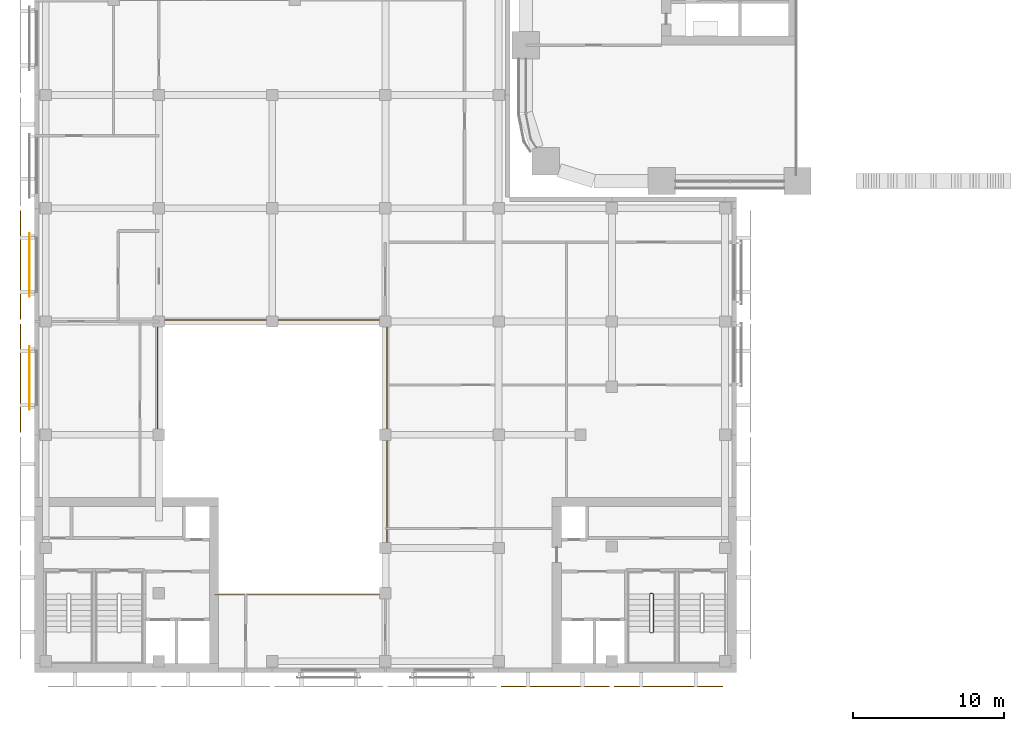
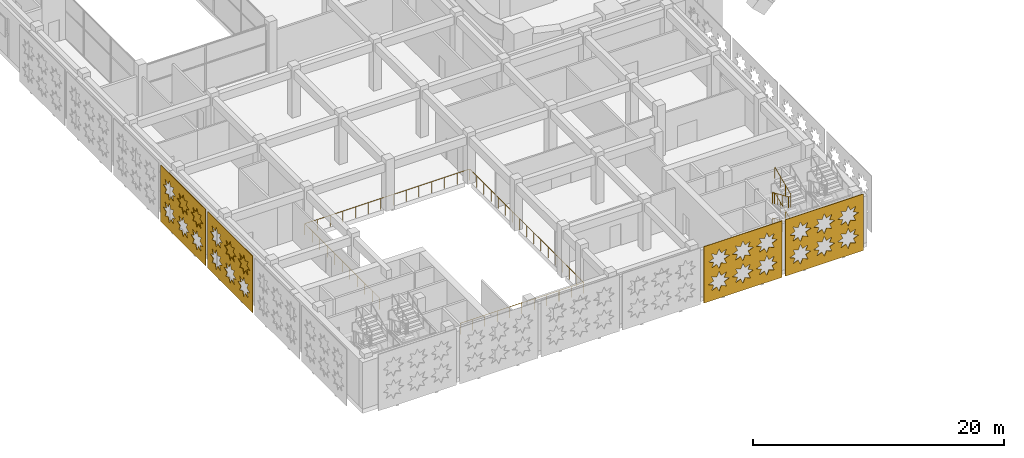
# One storey, part 30 of 40: 6 coverings, 2 railings.
"""IFC4 building model written with IfcOpenShell, lengths in metres."""

from ifc_helpers import new_model, si_unit, direction, frame, origin, origin_2d, place, context, subcontext, project, spatial, polyline, rectangle, circle, outline, extrude, material, layer, layer_set, type_object, element, save


model = new_model("IFC4")

# Units and contexts
model_context = context("Model", 3, precision=1e-05, world=origin(), true_north=direction((0.0, 1.0)))
body_context = subcontext(model_context, "Body", "Model", "MODEL_VIEW")
ifc_project = project(units=[si_unit("LENGTHUNIT", "METRE"), si_unit("AREAUNIT", "SQUARE_METRE"), si_unit("VOLUMEUNIT", "CUBIC_METRE"), si_unit("PLANEANGLEUNIT", "RADIAN"), si_unit("MASSUNIT", "GRAM", prefix="KILO")], contexts=[model_context])

# Site, building, storey
site_placement = place(None, origin())
site = spatial("IfcSite", under=ifc_project, at=site_placement, CompositionType="ELEMENT")
building_placement = place(site_placement, origin())
building = spatial("IfcBuilding", under=site, at=building_placement, Name="Tessera Arch", CompositionType="ELEMENT")
storey_placement = place(building_placement, frame((0.0, 0.0, 21.0)))
storey = spatial("IfcBuildingStorey", under=building, at=storey_placement, Name="L03", CompositionType="ELEMENT", Elevation=21.0)

# Coverings
ifc_material_1 = material(Name="Anodised aluminium pale metal", Category="aluminium")
ifc_layer_1 = layer(ifc_material_1, 0.050048828125)
ifc_layer_set_1 = layer_set([ifc_layer_1], Name="Museum lattice skin panel")
covering_type_1 = type_object("IfcCoveringType", Name="Museum lattice skin panel", PredefinedType="CLADDING", material=ifc_layer_set_1)
covering_1_placement = place(storey_placement, frame((-1.64990234375, -33.449951171875, 5.60009765625), z_axis=(0.0, 1.0, 0.0), x_axis=(1.0, 0.0, 0.0)))
element("IfcCovering", 1, at=covering_1_placement, inside=storey, type_object=covering_type_1, Name="Museum lattice skin L03 1-6", PredefinedType="CLADDING", context=body_context, shape_type="SweptSolid", body=[
    extrude(outline(polyline([(0.0, 0.0), (7.199951171875, 0.0), (7.199951171875, 5.5), (0.0, 5.5), (0.0, 0.0)]), holes=[polyline([(2.367919921875, 3.85009765625), (1.887939453125, 3.648193359375), (2.083984375, 3.166015625), (1.601806640625, 3.362060546875), (1.39990234375, 2.882080078125), (1.197998046875, 3.362060546875), (0.7158203125, 3.166015625), (0.911865234375, 3.648193359375), (0.431884765625, 3.85009765625), (0.911865234375, 4.052001953125), (0.7158203125, 4.5341796875), (1.197998046875, 4.338134765625), (1.39990234375, 4.818115234375), (1.601806640625, 4.338134765625), (2.083984375, 4.5341796875), (1.887939453125, 4.052001953125), (2.367919921875, 3.85009765625)]), polyline([(2.367919921875, 1.650146484375), (1.887939453125, 1.447998046875), (2.083984375, 0.966064453125), (1.601806640625, 1.162109375), (1.39990234375, 0.68212890625), (1.197998046875, 1.162109375), (0.7158203125, 0.966064453125), (0.911865234375, 1.447998046875), (0.431884765625, 1.650146484375), (0.911865234375, 1.85205078125), (0.7158203125, 2.333984375), (1.197998046875, 2.13818359375), (1.39990234375, 2.6181640625), (1.601806640625, 2.13818359375), (2.083984375, 2.333984375), (1.887939453125, 1.85205078125), (2.367919921875, 1.650146484375)]), polyline([(4.56787109375, 3.85009765625), (4.087890625, 3.648193359375), (4.283935546875, 3.166015625), (3.802001953125, 3.362060546875), (3.599853515625, 2.882080078125), (3.39794921875, 3.362060546875), (2.916015625, 3.166015625), (3.11181640625, 3.648193359375), (2.6318359375, 3.85009765625), (3.11181640625, 4.052001953125), (2.916015625, 4.5341796875), (3.39794921875, 4.338134765625), (3.599853515625, 4.818115234375), (3.802001953125, 4.338134765625), (4.283935546875, 4.5341796875), (4.087890625, 4.052001953125), (4.56787109375, 3.85009765625)]), polyline([(4.56787109375, 1.650146484375), (4.087890625, 1.447998046875), (4.283935546875, 0.966064453125), (3.802001953125, 1.162109375), (3.599853515625, 0.68212890625), (3.39794921875, 1.162109375), (2.916015625, 0.966064453125), (3.11181640625, 1.447998046875), (2.6318359375, 1.650146484375), (3.11181640625, 1.85205078125), (2.916015625, 2.333984375), (3.39794921875, 2.13818359375), (3.599853515625, 2.6181640625), (3.802001953125, 2.13818359375), (4.283935546875, 2.333984375), (4.087890625, 1.85205078125), (4.56787109375, 1.650146484375)]), polyline([(6.767822265625, 3.85009765625), (6.287841796875, 3.648193359375), (6.48388671875, 3.166015625), (6.001953125, 3.362060546875), (5.7998046875, 2.882080078125), (5.597900390625, 3.362060546875), (5.115966796875, 3.166015625), (5.31201171875, 3.648193359375), (4.831787109375, 3.85009765625), (5.31201171875, 4.052001953125), (5.115966796875, 4.5341796875), (5.597900390625, 4.338134765625), (5.7998046875, 4.818115234375), (6.001953125, 4.338134765625), (6.48388671875, 4.5341796875), (6.287841796875, 4.052001953125), (6.767822265625, 3.85009765625)]), polyline([(6.767822265625, 1.650146484375), (6.287841796875, 1.447998046875), (6.48388671875, 0.966064453125), (6.001953125, 1.162109375), (5.7998046875, 0.68212890625), (5.597900390625, 1.162109375), (5.115966796875, 0.966064453125), (5.31201171875, 1.447998046875), (4.831787109375, 1.650146484375), (5.31201171875, 1.85205078125), (5.115966796875, 2.333984375), (5.597900390625, 2.13818359375), (5.7998046875, 2.6181640625), (6.001953125, 2.13818359375), (6.48388671875, 2.333984375), (6.287841796875, 1.85205078125), (6.767822265625, 1.650146484375)])]), origin(), (0.0, 0.0, -1.0), 0.050048828125),
])
covering_2_placement = place(storey_placement, frame((5.85009765625, -33.449951171875, 5.60009765625), z_axis=(0.0, 1.0, 0.0), x_axis=(1.0, 0.0, 0.0)))
element("IfcCovering", 2, at=covering_2_placement, inside=storey, type_object=covering_type_1, Name="Museum lattice skin L03 1-7", PredefinedType="CLADDING", context=body_context, shape_type="SweptSolid", body=[
    extrude(outline(polyline([(0.0, 0.0), (7.199951171875, 0.0), (7.199951171875, 5.5), (0.0, 5.5), (0.0, 0.0)]), holes=[polyline([(2.367919921875, 3.85009765625), (1.887939453125, 3.648193359375), (2.083984375, 3.166015625), (1.601806640625, 3.362060546875), (1.39990234375, 2.882080078125), (1.197998046875, 3.362060546875), (0.7158203125, 3.166015625), (0.911865234375, 3.648193359375), (0.431884765625, 3.85009765625), (0.911865234375, 4.052001953125), (0.7158203125, 4.5341796875), (1.197998046875, 4.338134765625), (1.39990234375, 4.818115234375), (1.601806640625, 4.338134765625), (2.083984375, 4.5341796875), (1.887939453125, 4.052001953125), (2.367919921875, 3.85009765625)]), polyline([(2.367919921875, 1.650146484375), (1.887939453125, 1.447998046875), (2.083984375, 0.966064453125), (1.601806640625, 1.162109375), (1.39990234375, 0.68212890625), (1.197998046875, 1.162109375), (0.7158203125, 0.966064453125), (0.911865234375, 1.447998046875), (0.431884765625, 1.650146484375), (0.911865234375, 1.85205078125), (0.7158203125, 2.333984375), (1.197998046875, 2.13818359375), (1.39990234375, 2.6181640625), (1.601806640625, 2.13818359375), (2.083984375, 2.333984375), (1.887939453125, 1.85205078125), (2.367919921875, 1.650146484375)]), polyline([(4.56787109375, 3.85009765625), (4.087890625, 3.648193359375), (4.283935546875, 3.166015625), (3.802001953125, 3.362060546875), (3.599853515625, 2.882080078125), (3.39794921875, 3.362060546875), (2.916015625, 3.166015625), (3.11181640625, 3.648193359375), (2.6318359375, 3.85009765625), (3.11181640625, 4.052001953125), (2.916015625, 4.5341796875), (3.39794921875, 4.338134765625), (3.599853515625, 4.818115234375), (3.802001953125, 4.338134765625), (4.283935546875, 4.5341796875), (4.087890625, 4.052001953125), (4.56787109375, 3.85009765625)]), polyline([(4.56787109375, 1.650146484375), (4.087890625, 1.447998046875), (4.283935546875, 0.966064453125), (3.802001953125, 1.162109375), (3.599853515625, 0.68212890625), (3.39794921875, 1.162109375), (2.916015625, 0.966064453125), (3.11181640625, 1.447998046875), (2.6318359375, 1.650146484375), (3.11181640625, 1.85205078125), (2.916015625, 2.333984375), (3.39794921875, 2.13818359375), (3.599853515625, 2.6181640625), (3.802001953125, 2.13818359375), (4.283935546875, 2.333984375), (4.087890625, 1.85205078125), (4.56787109375, 1.650146484375)]), polyline([(6.767822265625, 3.85009765625), (6.287841796875, 3.648193359375), (6.48388671875, 3.166015625), (6.001953125, 3.362060546875), (5.7998046875, 2.882080078125), (5.597900390625, 3.362060546875), (5.115966796875, 3.166015625), (5.31201171875, 3.648193359375), (4.831787109375, 3.85009765625), (5.31201171875, 4.052001953125), (5.115966796875, 4.5341796875), (5.597900390625, 4.338134765625), (5.7998046875, 4.818115234375), (6.001953125, 4.338134765625), (6.48388671875, 4.5341796875), (6.287841796875, 4.052001953125), (6.767822265625, 3.85009765625)]), polyline([(6.767822265625, 1.650146484375), (6.287841796875, 1.447998046875), (6.48388671875, 0.966064453125), (6.001953125, 1.162109375), (5.7998046875, 0.68212890625), (5.597900390625, 1.162109375), (5.115966796875, 0.966064453125), (5.31201171875, 1.447998046875), (4.831787109375, 1.650146484375), (5.31201171875, 1.85205078125), (5.115966796875, 2.333984375), (5.597900390625, 2.13818359375), (5.7998046875, 2.6181640625), (6.001953125, 2.13818359375), (6.48388671875, 2.333984375), (6.287841796875, 1.85205078125), (6.767822265625, 1.650146484375)])]), origin(), (0.0, 0.0, -1.0), 0.050048828125),
])
covering_3_placement = place(storey_placement, frame((-33.449951171875, -1.949951171875, 5.60009765625), z_axis=(1.0, 0.0, 0.0), x_axis=(0.0, -1.0, 0.0)))
element("IfcCovering", 3, at=covering_3_placement, inside=storey, type_object=covering_type_1, Name="Museum lattice skin L03 6-10", PredefinedType="CLADDING", context=body_context, shape_type="SweptSolid", body=[
    extrude(outline(polyline([(0.0, 0.0), (7.199951171875, 0.0), (7.199951171875, 5.5), (0.0, 5.5), (0.0, 0.0)]), holes=[polyline([(2.3681640625, 3.85009765625), (1.887939453125, 3.648193359375), (2.083984375, 3.166015625), (1.60205078125, 3.362060546875), (1.400146484375, 2.882080078125), (1.197998046875, 3.362060546875), (0.716064453125, 3.166015625), (0.912109375, 3.648193359375), (0.43212890625, 3.85009765625), (0.912109375, 4.052001953125), (0.716064453125, 4.5341796875), (1.197998046875, 4.338134765625), (1.400146484375, 4.818115234375), (1.60205078125, 4.338134765625), (2.083984375, 4.5341796875), (1.887939453125, 4.052001953125), (2.3681640625, 3.85009765625)]), polyline([(2.3681640625, 1.650146484375), (1.887939453125, 1.447998046875), (2.083984375, 0.966064453125), (1.60205078125, 1.162109375), (1.400146484375, 0.68212890625), (1.197998046875, 1.162109375), (0.716064453125, 0.966064453125), (0.912109375, 1.447998046875), (0.43212890625, 1.650146484375), (0.912109375, 1.85205078125), (0.716064453125, 2.333984375), (1.197998046875, 2.13818359375), (1.400146484375, 2.6181640625), (1.60205078125, 2.13818359375), (2.083984375, 2.333984375), (1.887939453125, 1.85205078125), (2.3681640625, 1.650146484375)]), polyline([(4.568115234375, 3.85009765625), (4.088134765625, 3.648193359375), (4.283935546875, 3.166015625), (3.802001953125, 3.362060546875), (3.60009765625, 2.882080078125), (3.39794921875, 3.362060546875), (2.916015625, 3.166015625), (3.112060546875, 3.648193359375), (2.632080078125, 3.85009765625), (3.112060546875, 4.052001953125), (2.916015625, 4.5341796875), (3.39794921875, 4.338134765625), (3.60009765625, 4.818115234375), (3.802001953125, 4.338134765625), (4.283935546875, 4.5341796875), (4.088134765625, 4.052001953125), (4.568115234375, 3.85009765625)]), polyline([(4.568115234375, 1.650146484375), (4.088134765625, 1.447998046875), (4.283935546875, 0.966064453125), (3.802001953125, 1.162109375), (3.60009765625, 0.68212890625), (3.39794921875, 1.162109375), (2.916015625, 0.966064453125), (3.112060546875, 1.447998046875), (2.632080078125, 1.650146484375), (3.112060546875, 1.85205078125), (2.916015625, 2.333984375), (3.39794921875, 2.13818359375), (3.60009765625, 2.6181640625), (3.802001953125, 2.13818359375), (4.283935546875, 2.333984375), (4.088134765625, 1.85205078125), (4.568115234375, 1.650146484375)]), polyline([(6.76806640625, 3.85009765625), (6.2880859375, 3.648193359375), (6.484130859375, 3.166015625), (6.001953125, 3.362060546875), (5.800048828125, 2.882080078125), (5.59814453125, 3.362060546875), (5.115966796875, 3.166015625), (5.31201171875, 3.648193359375), (4.83203125, 3.85009765625), (5.31201171875, 4.052001953125), (5.115966796875, 4.5341796875), (5.59814453125, 4.338134765625), (5.800048828125, 4.818115234375), (6.001953125, 4.338134765625), (6.484130859375, 4.5341796875), (6.2880859375, 4.052001953125), (6.76806640625, 3.85009765625)]), polyline([(6.76806640625, 1.650146484375), (6.2880859375, 1.447998046875), (6.484130859375, 0.966064453125), (6.001953125, 1.162109375), (5.800048828125, 0.68212890625), (5.59814453125, 1.162109375), (5.115966796875, 0.966064453125), (5.31201171875, 1.447998046875), (4.83203125, 1.650146484375), (5.31201171875, 1.85205078125), (5.115966796875, 2.333984375), (5.59814453125, 2.13818359375), (5.800048828125, 2.6181640625), (6.001953125, 2.13818359375), (6.484130859375, 2.333984375), (6.2880859375, 1.85205078125), (6.76806640625, 1.650146484375)])]), origin(), (0.0, 0.0, -1.0), 0.050048828125),
])
covering_4_placement = place(storey_placement, frame((-33.449951171875, -9.449951171875, 5.60009765625), z_axis=(1.0, 0.0, 0.0), x_axis=(0.0, -1.0, 0.0)))
element("IfcCovering", 4, at=covering_4_placement, inside=storey, type_object=covering_type_1, Name="Museum lattice skin L03 6-11", PredefinedType="CLADDING", context=body_context, shape_type="SweptSolid", body=[
    extrude(outline(polyline([(0.0, 0.0), (7.199951171875, 0.0), (7.199951171875, 5.5), (0.0, 5.5), (0.0, 0.0)]), holes=[polyline([(2.3681640625, 3.85009765625), (1.887939453125, 3.648193359375), (2.083984375, 3.166015625), (1.60205078125, 3.362060546875), (1.400146484375, 2.882080078125), (1.197998046875, 3.362060546875), (0.716064453125, 3.166015625), (0.912109375, 3.648193359375), (0.43212890625, 3.85009765625), (0.912109375, 4.052001953125), (0.716064453125, 4.5341796875), (1.197998046875, 4.338134765625), (1.400146484375, 4.818115234375), (1.60205078125, 4.338134765625), (2.083984375, 4.5341796875), (1.887939453125, 4.052001953125), (2.3681640625, 3.85009765625)]), polyline([(2.3681640625, 1.650146484375), (1.887939453125, 1.447998046875), (2.083984375, 0.966064453125), (1.60205078125, 1.162109375), (1.400146484375, 0.68212890625), (1.197998046875, 1.162109375), (0.716064453125, 0.966064453125), (0.912109375, 1.447998046875), (0.43212890625, 1.650146484375), (0.912109375, 1.85205078125), (0.716064453125, 2.333984375), (1.197998046875, 2.13818359375), (1.400146484375, 2.6181640625), (1.60205078125, 2.13818359375), (2.083984375, 2.333984375), (1.887939453125, 1.85205078125), (2.3681640625, 1.650146484375)]), polyline([(4.568115234375, 3.85009765625), (4.088134765625, 3.648193359375), (4.283935546875, 3.166015625), (3.802001953125, 3.362060546875), (3.60009765625, 2.882080078125), (3.39794921875, 3.362060546875), (2.916015625, 3.166015625), (3.112060546875, 3.648193359375), (2.632080078125, 3.85009765625), (3.112060546875, 4.052001953125), (2.916015625, 4.5341796875), (3.39794921875, 4.338134765625), (3.60009765625, 4.818115234375), (3.802001953125, 4.338134765625), (4.283935546875, 4.5341796875), (4.088134765625, 4.052001953125), (4.568115234375, 3.85009765625)]), polyline([(4.568115234375, 1.650146484375), (4.088134765625, 1.447998046875), (4.283935546875, 0.966064453125), (3.802001953125, 1.162109375), (3.60009765625, 0.68212890625), (3.39794921875, 1.162109375), (2.916015625, 0.966064453125), (3.112060546875, 1.447998046875), (2.632080078125, 1.650146484375), (3.112060546875, 1.85205078125), (2.916015625, 2.333984375), (3.39794921875, 2.13818359375), (3.60009765625, 2.6181640625), (3.802001953125, 2.13818359375), (4.283935546875, 2.333984375), (4.088134765625, 1.85205078125), (4.568115234375, 1.650146484375)]), polyline([(6.76806640625, 3.85009765625), (6.2880859375, 3.648193359375), (6.484130859375, 3.166015625), (6.001953125, 3.362060546875), (5.800048828125, 2.882080078125), (5.59814453125, 3.362060546875), (5.115966796875, 3.166015625), (5.31201171875, 3.648193359375), (4.83203125, 3.85009765625), (5.31201171875, 4.052001953125), (5.115966796875, 4.5341796875), (5.59814453125, 4.338134765625), (5.800048828125, 4.818115234375), (6.001953125, 4.338134765625), (6.484130859375, 4.5341796875), (6.2880859375, 4.052001953125), (6.76806640625, 3.85009765625)]), polyline([(6.76806640625, 1.650146484375), (6.2880859375, 1.447998046875), (6.484130859375, 0.966064453125), (6.001953125, 1.162109375), (5.800048828125, 0.68212890625), (5.59814453125, 1.162109375), (5.115966796875, 0.966064453125), (5.31201171875, 1.447998046875), (4.83203125, 1.650146484375), (5.31201171875, 1.85205078125), (5.115966796875, 2.333984375), (5.59814453125, 2.13818359375), (5.800048828125, 2.6181640625), (6.001953125, 2.13818359375), (6.484130859375, 2.333984375), (6.2880859375, 1.85205078125), (6.76806640625, 1.650146484375)])]), origin(), (0.0, 0.0, -1.0), 0.050048828125),
])

# Railing
ifc_material_2 = material(Name="Stainless steel and clear glass", Category="steel")
railing_type_1 = type_object("IfcRailingType", Name="Museum roof guard 1100", PredefinedType="GUARDRAIL", material=ifc_material_2)
railing_1_placement = place(storey_placement, frame((-24.39990234375, -21.199951171875, 0.0)))
element("IfcRailing", 5, at=railing_1_placement, inside=storey, type_object=railing_type_1, Name="Atrium guard L03", PredefinedType="GUARDRAIL", context=body_context, shape_type="SweptSolid", body=[
    extrude(circle(Radius=0.02490234375, at=origin_2d()), frame((0.0, -0.00390625, 1.0751953125), z_axis=(0.0, 1.0, 0.0), x_axis=(-1.0, 0.0, 0.0)), (0.0, 0.0, 1.0), 12.008056640625),
    extrude(circle(Radius=0.02490234375, at=origin_2d()), frame((-0.00390625, 12.0, 1.0751953125), z_axis=(1.0, 0.0, 0.0), x_axis=(0.0, 1.0, 0.0)), (0.0, 0.0, 1.0), 15.2080078125),
    extrude(circle(Radius=0.02490234375, at=origin_2d()), frame((15.199951171875, 12.00390625, 1.0751953125), z_axis=(0.0, -1.0, 0.0), x_axis=(1.0, 0.0, 0.0)), (0.0, 0.0, 1.0), 18.2080078125),
    extrude(circle(Radius=0.02490234375, at=origin_2d()), frame((15.203857421875, -6.199951171875, 1.0751953125), z_axis=(-1.0, 0.0, 0.0), x_axis=(0.0, -1.0, 0.0)), (0.0, 0.0, 1.0), 11.408203125),
    extrude(circle(Radius=0.02001953125, at=origin_2d()), origin(), (0.0, 0.0, 1.0), 1.06201171875),
    extrude(circle(Radius=0.02001953125, at=origin_2d()), frame((0.0, 1.199951171875, 0.0)), (0.0, 0.0, 1.0), 1.06201171875),
    extrude(circle(Radius=0.02001953125, at=origin_2d()), frame((0.0, 2.39990234375, 0.0)), (0.0, 0.0, 1.0), 1.06201171875),
    extrude(circle(Radius=0.02001953125, at=origin_2d()), frame((0.0, 3.60009765625, 0.0)), (0.0, 0.0, 1.0), 1.06201171875),
    extrude(circle(Radius=0.02001953125, at=origin_2d()), frame((0.0, 4.800048828125, 0.0)), (0.0, 0.0, 1.0), 1.06201171875),
    extrude(circle(Radius=0.02001953125, at=origin_2d()), frame((0.0, 6.0, 0.0)), (0.0, 0.0, 1.0), 1.06201171875),
    extrude(circle(Radius=0.02001953125, at=origin_2d()), frame((0.0, 7.199951171875, 0.0)), (0.0, 0.0, 1.0), 1.06201171875),
    extrude(circle(Radius=0.02001953125, at=origin_2d()), frame((0.0, 8.39990234375, 0.0)), (0.0, 0.0, 1.0), 1.06201171875),
    extrude(circle(Radius=0.02001953125, at=origin_2d()), frame((0.0, 9.60009765625, 0.0)), (0.0, 0.0, 1.0), 1.06201171875),
    extrude(circle(Radius=0.02001953125, at=origin_2d()), frame((0.0, 10.800048828125, 0.0)), (0.0, 0.0, 1.0), 1.06201171875),
    extrude(circle(Radius=0.02001953125, at=origin_2d()), frame((0.0, 12.0, 0.0)), (0.0, 0.0, 1.0), 1.06201171875),
    extrude(circle(Radius=0.02001953125, at=origin_2d()), frame((1.169189453125, 12.0, 0.0)), (0.0, 0.0, 1.0), 1.06201171875),
    extrude(circle(Radius=0.02001953125, at=origin_2d()), frame((2.33837890625, 12.0, 0.0)), (0.0, 0.0, 1.0), 1.06201171875),
    extrude(circle(Radius=0.02001953125, at=origin_2d()), frame((3.507568359375, 12.0, 0.0)), (0.0, 0.0, 1.0), 1.06201171875),
    extrude(circle(Radius=0.02001953125, at=origin_2d()), frame((4.677001953125, 12.0, 0.0)), (0.0, 0.0, 1.0), 1.06201171875),
    extrude(circle(Radius=0.02001953125, at=origin_2d()), frame((5.84619140625, 12.0, 0.0)), (0.0, 0.0, 1.0), 1.06201171875),
    extrude(circle(Radius=0.02001953125, at=origin_2d()), frame((7.015380859375, 12.0, 0.0)), (0.0, 0.0, 1.0), 1.06201171875),
    extrude(circle(Radius=0.02001953125, at=origin_2d()), frame((8.1845703125, 12.0, 0.0)), (0.0, 0.0, 1.0), 1.06201171875),
    extrude(circle(Radius=0.02001953125, at=origin_2d()), frame((9.353759765625, 12.0, 0.0)), (0.0, 0.0, 1.0), 1.06201171875),
    extrude(circle(Radius=0.02001953125, at=origin_2d()), frame((10.52294921875, 12.0, 0.0)), (0.0, 0.0, 1.0), 1.06201171875),
    extrude(circle(Radius=0.02001953125, at=origin_2d()), frame((11.6923828125, 12.0, 0.0)), (0.0, 0.0, 1.0), 1.06201171875),
    extrude(circle(Radius=0.02001953125, at=origin_2d()), frame((12.861572265625, 12.0, 0.0)), (0.0, 0.0, 1.0), 1.06201171875),
    extrude(circle(Radius=0.02001953125, at=origin_2d()), frame((14.03076171875, 12.0, 0.0)), (0.0, 0.0, 1.0), 1.06201171875),
    extrude(circle(Radius=0.02001953125, at=origin_2d()), frame((15.199951171875, 12.0, 0.0)), (0.0, 0.0, 1.0), 1.06201171875),
    extrude(circle(Radius=0.02001953125, at=origin_2d()), frame((15.199951171875, 10.862548828125, 0.0)), (0.0, 0.0, 1.0), 1.06201171875),
    extrude(circle(Radius=0.02001953125, at=origin_2d()), frame((15.199951171875, 9.72509765625, 0.0)), (0.0, 0.0, 1.0), 1.06201171875),
    extrude(circle(Radius=0.02001953125, at=origin_2d()), frame((15.199951171875, 8.58740234375, 0.0)), (0.0, 0.0, 1.0), 1.06201171875),
    extrude(circle(Radius=0.02001953125, at=origin_2d()), frame((15.199951171875, 7.449951171875, 0.0)), (0.0, 0.0, 1.0), 1.06201171875),
    extrude(circle(Radius=0.02001953125, at=origin_2d()), frame((15.199951171875, 6.3125, 0.0)), (0.0, 0.0, 1.0), 1.06201171875),
    extrude(circle(Radius=0.02001953125, at=origin_2d()), frame((15.199951171875, 5.175048828125, 0.0)), (0.0, 0.0, 1.0), 1.06201171875),
    extrude(circle(Radius=0.02001953125, at=origin_2d()), frame((15.199951171875, 4.03759765625, 0.0)), (0.0, 0.0, 1.0), 1.06201171875),
    extrude(circle(Radius=0.02001953125, at=origin_2d()), frame((15.199951171875, 2.89990234375, 0.0)), (0.0, 0.0, 1.0), 1.06201171875),
    extrude(circle(Radius=0.02001953125, at=origin_2d()), frame((15.199951171875, 1.762451171875, 0.0)), (0.0, 0.0, 1.0), 1.06201171875),
    extrude(circle(Radius=0.02001953125, at=origin_2d()), frame((15.199951171875, 0.625, 0.0)), (0.0, 0.0, 1.0), 1.06201171875),
    extrude(circle(Radius=0.02001953125, at=origin_2d()), frame((15.199951171875, -0.512451171875, 0.0)), (0.0, 0.0, 1.0), 1.06201171875),
    extrude(circle(Radius=0.02001953125, at=origin_2d()), frame((15.199951171875, -1.64990234375, 0.0)), (0.0, 0.0, 1.0), 1.06201171875),
    extrude(circle(Radius=0.02001953125, at=origin_2d()), frame((15.199951171875, -2.787353515625, 0.0)), (0.0, 0.0, 1.0), 1.06201171875),
    extrude(circle(Radius=0.02001953125, at=origin_2d()), frame((15.199951171875, -3.925048828125, 0.0)), (0.0, 0.0, 1.0), 1.06201171875),
    extrude(circle(Radius=0.02001953125, at=origin_2d()), frame((15.199951171875, -5.0625, 0.0)), (0.0, 0.0, 1.0), 1.06201171875),
    extrude(circle(Radius=0.02001953125, at=origin_2d()), frame((15.199951171875, -6.199951171875, 0.0)), (0.0, 0.0, 1.0), 1.06201171875),
    extrude(circle(Radius=0.02001953125, at=origin_2d()), frame((14.06005859375, -6.199951171875, 0.0)), (0.0, 0.0, 1.0), 1.06201171875),
    extrude(circle(Radius=0.02001953125, at=origin_2d()), frame((12.919921875, -6.199951171875, 0.0)), (0.0, 0.0, 1.0), 1.06201171875),
    extrude(circle(Radius=0.02001953125, at=origin_2d()), frame((11.77978515625, -6.199951171875, 0.0)), (0.0, 0.0, 1.0), 1.06201171875),
    extrude(circle(Radius=0.02001953125, at=origin_2d()), frame((10.639892578125, -6.199951171875, 0.0)), (0.0, 0.0, 1.0), 1.06201171875),
    extrude(circle(Radius=0.02001953125, at=origin_2d()), frame((9.5, -6.199951171875, 0.0)), (0.0, 0.0, 1.0), 1.06201171875),
    extrude(circle(Radius=0.02001953125, at=origin_2d()), frame((8.35986328125, -6.199951171875, 0.0)), (0.0, 0.0, 1.0), 1.06201171875),
    extrude(circle(Radius=0.02001953125, at=origin_2d()), frame((7.219970703125, -6.199951171875, 0.0)), (0.0, 0.0, 1.0), 1.06201171875),
    extrude(circle(Radius=0.02001953125, at=origin_2d()), frame((6.079833984375, -6.199951171875, 0.0)), (0.0, 0.0, 1.0), 1.06201171875),
    extrude(circle(Radius=0.02001953125, at=origin_2d()), frame((4.93994140625, -6.199951171875, 0.0)), (0.0, 0.0, 1.0), 1.06201171875),
    extrude(circle(Radius=0.02001953125, at=origin_2d()), frame((3.7998046875, -6.199951171875, 0.0)), (0.0, 0.0, 1.0), 1.06201171875),
])

# Coverings
ifc_material_3 = material(Name="Anodised aluminium pale metal", Category="aluminium")
ifc_layer_2 = layer(ifc_material_3, 0.0400390625)
ifc_layer_set_2 = layer_set([ifc_layer_2], Name="Museum screen panel")
covering_type_2 = type_object("IfcCoveringType", Name="Museum screen panel", PredefinedType="CLADDING", material=ifc_layer_set_2)
for number, where, z_axis, x_axis, name in (
    (6, (-32.8701171875, -5.550048828125, 2.10009765625), (0.0, 0.0, 1.0), (0.0, -1.0, 0.0), "Screen panel museum L03 6-10"),
    (7, (-32.8701171875, -13.050048828125, 2.10009765625), (0.0, 0.0, 1.0), (0.0, -1.0, 0.0), "Screen panel museum L03 6-11"),
):
    element("IfcCovering", number, at=place(storey_placement, frame(where, z_axis=z_axis, x_axis=x_axis)), inside=storey, type_object=covering_type_2, Name=name, PredefinedType="CLADDING", context=body_context, shape_type="SweptSolid", body=[
        extrude(rectangle(XDim=4.199951171875, YDim=0.0400390625, at=origin_2d()), origin(), (0.0, 0.0, 1.0), 1.800048828125),
    ])

# Railing
ifc_material_4 = material(Name="Painted steel balustrade", Category="steel")
railing_type_2 = type_object("IfcRailingType", Name="Stair guard 1100", PredefinedType="GUARDRAIL", material=ifc_material_4)
railing_2_placement = place(storey_placement, frame((8.25, -27.300048828125, 0.0)))
element("IfcRailing", 8, at=railing_2_placement, inside=storey, type_object=railing_type_2, Name="L03 M3b stair guard 1", PredefinedType="GUARDRAIL", context=body_context, shape_type="SweptSolid", body=[
    extrude(circle(Radius=0.02392578125, at=origin_2d()), frame((-0.00390625, 0.0, 1.076171875), z_axis=(1.0, 0.0, 0.0), x_axis=(0.0, 1.0, 0.0)), (0.0, 0.0, 1.0), 0.157958984375),
    extrude(circle(Radius=0.02392578125, at=origin_2d()), frame((0.153076171875, 0.000732421875, 1.07373046875), z_axis=(-0.77305925043, -0.19350078918, 0.604100024756), x_axis=(0.242814311512, -0.970072785993, 0.0)), (0.0, 0.0, 1.0), 0.2666015625),
    extrude(circle(Radius=0.02392578125, at=origin_2d()), frame((-0.050048828125, -0.04638671875, 1.230712890625), z_axis=(0.0, -0.917324189904, 0.398141093855), x_axis=(1.0, 0.0, 0.0)), (0.0, 0.0, 1.0), 2.755126953125),
    extrude(circle(Radius=0.02392578125, at=origin_2d()), frame((-0.052978515625, -2.567138671875, 2.326171875), z_axis=(0.708833529934, -0.705375805398, 0.0), x_axis=(0.705375805398, 0.708833529934, 0.0)), (0.0, 0.0, 1.0), 0.07861328125),
    extrude(circle(Radius=0.02392578125, at=origin_2d()), frame((-0.00390625, -2.619873046875, 2.326171875), z_axis=(1.0, 0.0, 0.0), x_axis=(0.0, 1.0, 0.0)), (0.0, 0.0, 1.0), 0.157958984375),
    extrude(circle(Radius=0.02392578125, at=origin_2d()), frame((0.148681640625, -2.62109375, 2.322509765625), z_axis=(0.291893400672, 0.290469530425, 0.911276958196), x_axis=(-0.705375805398, 0.708833529934, 0.0)), (0.0, 0.0, 1.0), 0.179443359375),
    extrude(circle(Radius=0.02392578125, at=origin_2d()), frame((0.199951171875, -2.57373046875, 2.480712890625), z_axis=(0.0, 0.917324189904, 0.398141093855), x_axis=(-1.0, 0.0, 0.0)), (0.0, 0.0, 1.0), 2.755126953125),
    extrude(circle(Radius=0.02392578125, at=origin_2d()), frame((0.203857421875, -0.051025390625, 3.576171875), z_axis=(-0.970072785993, 0.242814311512, 0.0), x_axis=(-0.242814311512, -0.970072785993, 0.0)), (0.0, 0.0, 1.0), 0.214111328125),
    extrude(circle(Radius=0.02392578125, at=origin_2d()), frame((-0.00390625, 0.0, 3.576171875), z_axis=(1.0, 0.0, 0.0), x_axis=(0.0, 1.0, 0.0)), (0.0, 0.0, 1.0), 0.157958984375),
    extrude(circle(Radius=0.02392578125, at=origin_2d()), frame((0.153076171875, 0.000732421875, 3.57373046875), z_axis=(-0.77305925043, -0.19350078918, 0.604100024756), x_axis=(0.242814311512, -0.970072785993, 0.0)), (0.0, 0.0, 1.0), 0.2666015625),
    extrude(circle(Radius=0.02392578125, at=origin_2d()), frame((-0.050048828125, -0.04638671875, 3.730712890625), z_axis=(0.0, -0.917324189904, 0.398141093855), x_axis=(1.0, 0.0, 0.0)), (0.0, 0.0, 1.0), 2.755126953125),
    extrude(circle(Radius=0.02392578125, at=origin_2d()), frame((-0.052978515625, -2.567138671875, 4.826171875), z_axis=(0.708833529934, -0.705375805398, 0.0), x_axis=(0.705375805398, 0.708833529934, 0.0)), (0.0, 0.0, 1.0), 0.07861328125),
    extrude(circle(Radius=0.02392578125, at=origin_2d()), frame((-0.00390625, -2.619873046875, 4.826171875), z_axis=(1.0, 0.0, 0.0), x_axis=(0.0, 1.0, 0.0)), (0.0, 0.0, 1.0), 0.157958984375),
    extrude(circle(Radius=0.02392578125, at=origin_2d()), frame((0.148681640625, -2.62109375, 4.822509765625), z_axis=(0.291893400672, 0.290469530425, 0.911276958196), x_axis=(-0.705375805398, 0.708833529934, 0.0)), (0.0, 0.0, 1.0), 0.179443359375),
    extrude(circle(Radius=0.02392578125, at=origin_2d()), frame((0.199951171875, -2.57373046875, 4.980712890625), z_axis=(0.0, 0.917324189904, 0.398141093855), x_axis=(-1.0, 0.0, 0.0)), (0.0, 0.0, 1.0), 2.755126953125),
    extrude(circle(Radius=0.02099609375, at=origin_2d()), origin(), (0.0, 0.0, 1.0), 1.06396484375),
    extrude(circle(Radius=0.02099609375, at=origin_2d()), frame((0.14990234375, 0.0, 0.0)), (0.0, 0.0, 1.0), 1.06396484375),
    extrude(circle(Radius=0.02099609375, at=origin_2d()), frame((-0.050048828125, -0.050048828125, 0.15625)), (0.0, 0.0, 1.0), 1.06396484375),
    extrude(circle(Radius=0.02099609375, at=origin_2d()), frame((-0.050048828125, -0.89013671875, 0.520751953125)), (0.0, 0.0, 1.0), 1.06396484375),
    extrude(circle(Radius=0.02099609375, at=origin_2d()), frame((-0.050048828125, -1.72998046875, 0.885498046875)), (0.0, 0.0, 1.0), 1.06396484375),
    extrude(circle(Radius=0.02099609375, at=origin_2d()), frame((-0.050048828125, -2.570068359375, 1.25)), (0.0, 0.0, 1.0), 1.06396484375),
    extrude(circle(Radius=0.02099609375, at=origin_2d()), frame((0.0, -2.619873046875, 1.25)), (0.0, 0.0, 1.0), 1.06396484375),
    extrude(circle(Radius=0.02099609375, at=origin_2d()), frame((0.14990234375, -2.619873046875, 1.25)), (0.0, 0.0, 1.0), 1.06396484375),
    extrude(circle(Radius=0.02099609375, at=origin_2d()), frame((0.199951171875, -2.570068359375, 1.40625)), (0.0, 0.0, 1.0), 1.06396484375),
    extrude(circle(Radius=0.02099609375, at=origin_2d()), frame((0.199951171875, -1.72998046875, 1.770751953125)), (0.0, 0.0, 1.0), 1.06396484375),
    extrude(circle(Radius=0.02099609375, at=origin_2d()), frame((0.199951171875, -0.89013671875, 2.135498046875)), (0.0, 0.0, 1.0), 1.06396484375),
    extrude(circle(Radius=0.02099609375, at=origin_2d()), frame((0.199951171875, -0.050048828125, 2.5)), (0.0, 0.0, 1.0), 1.06396484375),
    extrude(circle(Radius=0.02099609375, at=origin_2d()), frame((0.0, 0.0, 2.5)), (0.0, 0.0, 1.0), 1.06396484375),
    extrude(circle(Radius=0.02099609375, at=origin_2d()), frame((0.14990234375, 0.0, 2.5)), (0.0, 0.0, 1.0), 1.06396484375),
    extrude(circle(Radius=0.02099609375, at=origin_2d()), frame((-0.050048828125, -0.050048828125, 2.65625)), (0.0, 0.0, 1.0), 1.06396484375),
    extrude(circle(Radius=0.02099609375, at=origin_2d()), frame((-0.050048828125, -0.89013671875, 3.020751953125)), (0.0, 0.0, 1.0), 1.06396484375),
    extrude(circle(Radius=0.02099609375, at=origin_2d()), frame((-0.050048828125, -1.72998046875, 3.385498046875)), (0.0, 0.0, 1.0), 1.06396484375),
    extrude(circle(Radius=0.02099609375, at=origin_2d()), frame((-0.050048828125, -2.570068359375, 3.75)), (0.0, 0.0, 1.0), 1.06396484375),
    extrude(circle(Radius=0.02099609375, at=origin_2d()), frame((0.0, -2.619873046875, 3.75)), (0.0, 0.0, 1.0), 1.06396484375),
    extrude(circle(Radius=0.02099609375, at=origin_2d()), frame((0.14990234375, -2.619873046875, 3.75)), (0.0, 0.0, 1.0), 1.06396484375),
    extrude(circle(Radius=0.02099609375, at=origin_2d()), frame((0.199951171875, -2.570068359375, 3.90625)), (0.0, 0.0, 1.0), 1.06396484375),
    extrude(circle(Radius=0.02099609375, at=origin_2d()), frame((0.199951171875, -1.72998046875, 4.270751953125)), (0.0, 0.0, 1.0), 1.06396484375),
    extrude(circle(Radius=0.02099609375, at=origin_2d()), frame((0.199951171875, -0.89013671875, 4.635498046875)), (0.0, 0.0, 1.0), 1.06396484375),
    extrude(circle(Radius=0.02099609375, at=origin_2d()), frame((0.199951171875, -0.050048828125, 5.0)), (0.0, 0.0, 1.0), 1.06396484375),
])

save(model, "model.ifc")
